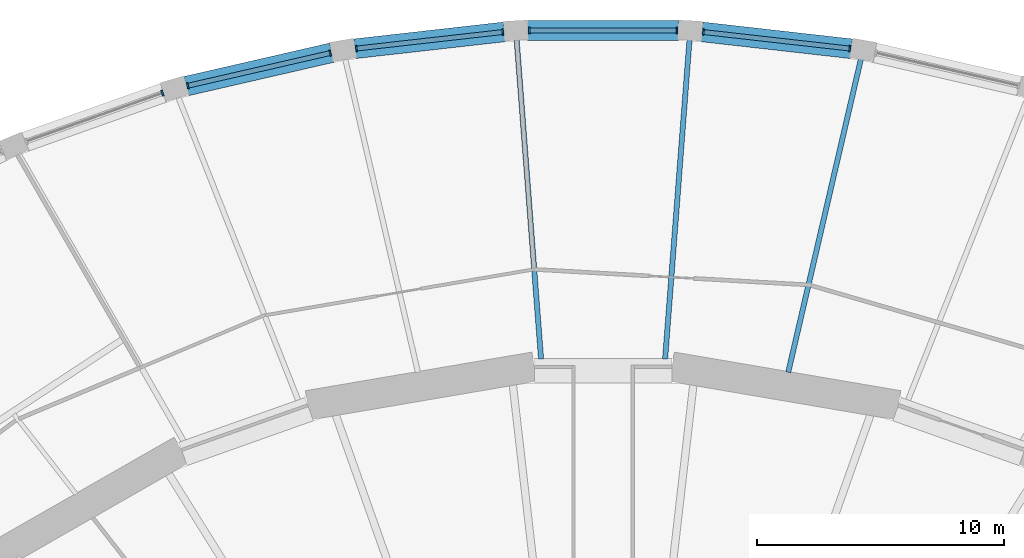
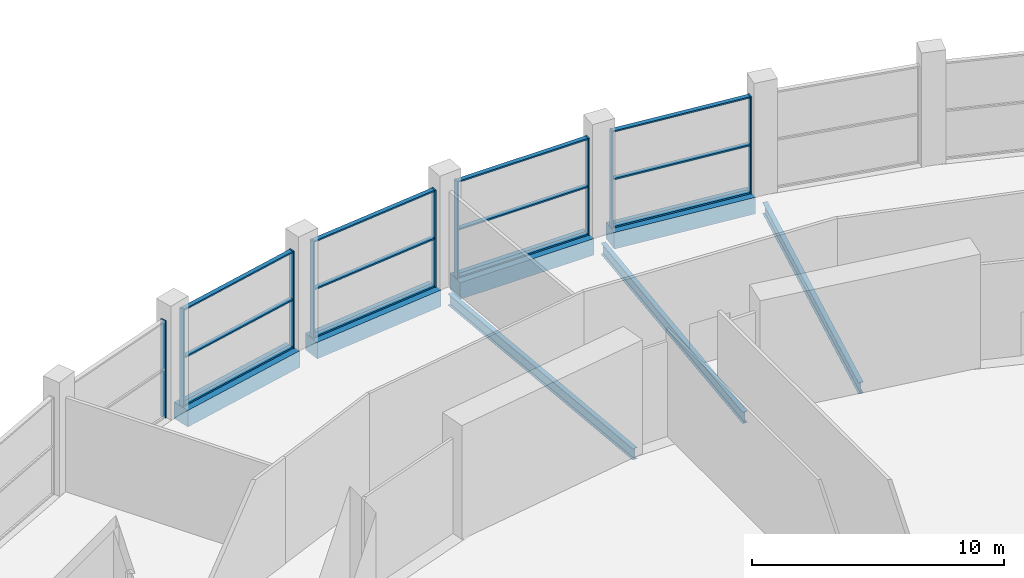
# One storey, part 14 of 29: 21 members, 7 beams, 5 elements without a shape of their own.
"""IFC4 building model written with IfcOpenShell, lengths in metres."""

from ifc_helpers import new_model, si_unit, direction, frame, origin, origin_2d, place, context, subcontext, project, spatial, rectangle, i_section, extrude, material, material_profile, profile_set, type_object, element, aggregate, save


model = new_model("IFC4")

# Units and contexts
model_context = context("Model", 3, precision=1e-05, world=origin(), true_north=direction((0.0, 1.0)))
body_context = subcontext(model_context, "Body", "Model", "MODEL_VIEW")
ifc_project = project(units=[si_unit("LENGTHUNIT", "METRE"), si_unit("AREAUNIT", "SQUARE_METRE"), si_unit("VOLUMEUNIT", "CUBIC_METRE"), si_unit("PLANEANGLEUNIT", "RADIAN"), si_unit("MASSUNIT", "GRAM", prefix="KILO")], contexts=[model_context])

# Site, building, storey
site_placement = place(None, origin())
site = spatial("IfcSite", under=ifc_project, at=site_placement, CompositionType="ELEMENT")
building_placement = place(site_placement, origin())
building = spatial("IfcBuilding", under=site, at=building_placement, Name="Halqa Exchange Tower", CompositionType="ELEMENT")
storey_placement = place(building_placement, frame((0.0, 0.0, 12.5)))
storey = spatial("IfcBuildingStorey", under=building, at=storey_placement, Name="L02", CompositionType="ELEMENT", Elevation=12.5)

# Curtain wall, members
ifc_material_1 = material(Name="Anodised aluminium and clear glass", Category="aluminium")
curtain_wall_type = type_object("IfcCurtainWallType", Name="Exchange hall glazing", PredefinedType="NOTDEFINED", material=ifc_material_1)
curtain_wall_1_placement = place(storey_placement, origin())
curtain_wall_1 = element("IfcCurtainWall", 1, at=curtain_wall_1_placement, inside=storey, type_object=curtain_wall_type, Name="Exchange hall glazing run P11", PredefinedType="NOTDEFINED")
ifc_material_2 = material(Name="Anodised aluminium", Category="aluminium")
ifc_material_profile_1 = material_profile(ifc_material_2, rectangle(XDim=0.25, YDim=0.070068359375, at=origin_2d()), Name="AL 70x250")
ifc_profile_set_1 = profile_set([ifc_material_profile_1], Name="Anodised aluminium")
member_type_1 = type_object("IfcMemberType", Name="Exchange hall glazing mullion 70 x 250", PredefinedType="MULLION", material=ifc_profile_set_1)
member_1_placement = place(storey_placement, frame((10.00341796875, 45.470458984375, 0.0), z_axis=(0.0, 0.0, 1.0), x_axis=(-0.112159098874, -0.993690261872, 0.0)))
member_1 = element("IfcMember", 2, at=member_1_placement, type_object=member_type_1, Name="P11 mullion 1", PredefinedType="MULLION", context=body_context, shape_type="SweptSolid", body=[
    extrude(rectangle(XDim=0.25, YDim=0.070068359375, at=origin_2d()), origin(), (0.0, 0.0, 1.0), 4.699951171875),
])
member_2_placement = place(storey_placement, frame((4.0634765625, 46.140869140625, 0.0), z_axis=(0.0, 0.0, 1.0), x_axis=(-0.112159098874, -0.993690261872, 0.0)))
member_2 = element("IfcMember", 3, at=member_2_placement, type_object=member_type_1, Name="P11 mullion 2", PredefinedType="MULLION", context=body_context, shape_type="SweptSolid", body=[
    extrude(rectangle(XDim=0.25, YDim=0.070068359375, at=origin_2d()), origin(), (0.0, 0.0, 1.0), 4.699951171875),
])

curtain_wall_2_placement = place(storey_placement, origin())
curtain_wall_2 = element("IfcCurtainWall", 4, at=curtain_wall_2_placement, inside=storey, type_object=curtain_wall_type, Name="Exchange hall glazing run P12", PredefinedType="NOTDEFINED")
member_3_placement = place(storey_placement, frame((2.996826171875, 46.200927734375, 0.0), z_axis=(0.0, 0.0, 1.0), x_axis=(0.0, -1.0, 0.0)))
member_3 = element("IfcMember", 5, at=member_3_placement, type_object=member_type_1, Name="P12 mullion 1", PredefinedType="MULLION", context=body_context, shape_type="SweptSolid", body=[
    extrude(rectangle(XDim=0.25, YDim=0.070068359375, at=origin_2d()), origin(), (0.0, 0.0, 1.0), 4.699951171875),
])
member_4_placement = place(storey_placement, frame((-2.996826171875, 46.200927734375, 0.0), z_axis=(0.0, 0.0, 1.0), x_axis=(0.0, -1.0, 0.0)))
member_4 = element("IfcMember", 6, at=member_4_placement, type_object=member_type_1, Name="P12 mullion 2", PredefinedType="MULLION", context=body_context, shape_type="SweptSolid", body=[
    extrude(rectangle(XDim=0.25, YDim=0.070068359375, at=origin_2d()), origin(), (0.0, 0.0, 1.0), 4.699951171875),
])

curtain_wall_3_placement = place(storey_placement, origin())
curtain_wall_3 = element("IfcCurtainWall", 7, at=curtain_wall_3_placement, inside=storey, type_object=curtain_wall_type, Name="Exchange hall glazing run P13", PredefinedType="NOTDEFINED")
member_5_placement = place(storey_placement, frame((-4.0634765625, 46.140869140625, 0.0), z_axis=(0.0, 0.0, 1.0), x_axis=(0.112159098874, -0.993690261872, 0.0)))
member_5 = element("IfcMember", 8, at=member_5_placement, type_object=member_type_1, Name="P13 mullion 1", PredefinedType="MULLION", context=body_context, shape_type="SweptSolid", body=[
    extrude(rectangle(XDim=0.25, YDim=0.070068359375, at=origin_2d()), origin(), (0.0, 0.0, 1.0), 4.699951171875),
])
member_6_placement = place(storey_placement, frame((-10.00341796875, 45.470458984375, 0.0), z_axis=(0.0, 0.0, 1.0), x_axis=(0.112159098874, -0.993690261872, 0.0)))
member_6 = element("IfcMember", 9, at=member_6_placement, type_object=member_type_1, Name="P13 mullion 2", PredefinedType="MULLION", context=body_context, shape_type="SweptSolid", body=[
    extrude(rectangle(XDim=0.25, YDim=0.070068359375, at=origin_2d()), origin(), (0.0, 0.0, 1.0), 4.699951171875),
])

curtain_wall_4_placement = place(storey_placement, origin())
curtain_wall_4 = element("IfcCurtainWall", 10, at=curtain_wall_4_placement, inside=storey, type_object=curtain_wall_type, Name="Exchange hall glazing run P14", PredefinedType="NOTDEFINED")
member_7_placement = place(storey_placement, frame((-11.056396484375, 45.29052734375, 0.0), z_axis=(0.0, 0.0, 1.0), x_axis=(0.223896655269, -0.974612891234, 0.0)))
member_7 = element("IfcMember", 11, at=member_7_placement, type_object=member_type_1, Name="P14 mullion 1", PredefinedType="MULLION", context=body_context, shape_type="SweptSolid", body=[
    extrude(rectangle(XDim=0.25, YDim=0.070068359375, at=origin_2d()), origin(), (0.0, 0.0, 1.0), 4.699951171875),
])
member_8_placement = place(storey_placement, frame((-16.836181640625, 43.962646484375, 0.0), z_axis=(0.0, 0.0, 1.0), x_axis=(0.223896655269, -0.974612891234, 0.0)))
member_8 = element("IfcMember", 12, at=member_8_placement, type_object=member_type_1, Name="P14 mullion 2", PredefinedType="MULLION", context=body_context, shape_type="SweptSolid", body=[
    extrude(rectangle(XDim=0.25, YDim=0.070068359375, at=origin_2d()), origin(), (0.0, 0.0, 1.0), 4.699951171875),
])

# Curtain wall, member
curtain_wall_5_placement = place(storey_placement, origin())
curtain_wall_5 = element("IfcCurtainWall", 13, at=curtain_wall_5_placement, inside=storey, type_object=curtain_wall_type, Name="Exchange hall glazing run P15", PredefinedType="NOTDEFINED")
member_9_placement = place(storey_placement, frame((-17.86181640625, 43.663818359375, 0.0), z_axis=(0.0, 0.0, 1.0), x_axis=(0.334688348326, -0.942328875444, 0.0)))
member_9 = element("IfcMember", 14, at=member_9_placement, type_object=member_type_1, Name="P15 mullion 1", PredefinedType="MULLION", context=body_context, shape_type="SweptSolid", body=[
    extrude(rectangle(XDim=0.25, YDim=0.070068359375, at=origin_2d()), origin(), (0.0, 0.0, 1.0), 4.699951171875),
])
aggregate(curtain_wall_5, [member_9])

# Member
ifc_material_profile_2 = material_profile(ifc_material_2, rectangle(XDim=0.199951171875, YDim=0.070068359375, at=origin_2d()), Name="AL 70x200")
ifc_profile_set_2 = profile_set([ifc_material_profile_2], Name="Anodised aluminium")
member_type_2 = type_object("IfcMemberType", Name="Exchange hall glazing transom 70 x 200", PredefinedType="USERDEFINED", material=ifc_profile_set_2)
member_10_placement = place(storey_placement, frame((9.968505859375, 45.474365234375, 0.034912109375), z_axis=(-0.993690216271, 0.112159502889, 0.0), x_axis=(-0.112159502889, -0.993690216271, 0.0)))
member_10 = element("IfcMember", 15, at=member_10_placement, type_object=member_type_2, Name="P11 transom 1.1", ObjectType="TRANSOM", PredefinedType="USERDEFINED", context=body_context, shape_type="SweptSolid", body=[
    extrude(rectangle(XDim=0.199951171875, YDim=0.070068359375, at=origin_2d()), origin(), (0.0, 0.0, 1.0), 5.90771484375),
])

member_11_placement = place(storey_placement, frame((9.968505859375, 45.474365234375, 2.35009765625), z_axis=(-0.993690216271, 0.112159502889, 0.0), x_axis=(-0.112159502889, -0.993690216271, 0.0)))
member_11 = element("IfcMember", 16, at=member_11_placement, type_object=member_type_2, Name="P11 transom 1.2", ObjectType="TRANSOM", PredefinedType="USERDEFINED", context=body_context, shape_type="SweptSolid", body=[
    extrude(rectangle(XDim=0.199951171875, YDim=0.070068359375, at=origin_2d()), origin(), (0.0, 0.0, 1.0), 5.90771484375),
])

member_12_placement = place(storey_placement, frame((9.968505859375, 45.474365234375, 4.6650390625), z_axis=(-0.993690216271, 0.112159502889, 0.0), x_axis=(-0.112159502889, -0.993690216271, 0.0)))
member_12 = element("IfcMember", 17, at=member_12_placement, type_object=member_type_2, Name="P11 transom 1.3", ObjectType="TRANSOM", PredefinedType="USERDEFINED", context=body_context, shape_type="SweptSolid", body=[
    extrude(rectangle(XDim=0.199951171875, YDim=0.070068359375, at=origin_2d()), origin(), (0.0, 0.0, 1.0), 5.90771484375),
])

aggregate(curtain_wall_1, [member_1, member_2, member_10, member_11, member_12])

member_13_placement = place(storey_placement, frame((2.9619140625, 46.200927734375, 0.034912109375), z_axis=(-1.0, 0.0, 0.0), x_axis=(0.0, -1.0, 0.0)))
member_13 = element("IfcMember", 18, at=member_13_placement, type_object=member_type_2, Name="P12 transom 1.1", ObjectType="TRANSOM", PredefinedType="USERDEFINED", context=body_context, shape_type="SweptSolid", body=[
    extrude(rectangle(XDim=0.199951171875, YDim=0.070068359375, at=origin_2d()), origin(), (0.0, 0.0, 1.0), 5.923828125),
])

member_14_placement = place(storey_placement, frame((2.9619140625, 46.200927734375, 2.35009765625), z_axis=(-1.0, 0.0, 0.0), x_axis=(0.0, -1.0, 0.0)))
member_14 = element("IfcMember", 19, at=member_14_placement, type_object=member_type_2, Name="P12 transom 1.2", ObjectType="TRANSOM", PredefinedType="USERDEFINED", context=body_context, shape_type="SweptSolid", body=[
    extrude(rectangle(XDim=0.199951171875, YDim=0.070068359375, at=origin_2d()), origin(), (0.0, 0.0, 1.0), 5.923828125),
])

member_15_placement = place(storey_placement, frame((2.9619140625, 46.200927734375, 4.6650390625), z_axis=(-1.0, 0.0, 0.0), x_axis=(0.0, -1.0, 0.0)))
member_15 = element("IfcMember", 20, at=member_15_placement, type_object=member_type_2, Name="P12 transom 1.3", ObjectType="TRANSOM", PredefinedType="USERDEFINED", context=body_context, shape_type="SweptSolid", body=[
    extrude(rectangle(XDim=0.199951171875, YDim=0.070068359375, at=origin_2d()), origin(), (0.0, 0.0, 1.0), 5.923828125),
])

aggregate(curtain_wall_2, [member_3, member_4, member_13, member_14, member_15])

member_16_placement = place(storey_placement, frame((-4.09814453125, 46.136962890625, 0.034912109375), z_axis=(-0.993690216271, -0.112159502889, 0.0), x_axis=(0.112159502889, -0.993690216271, 0.0)))
member_16 = element("IfcMember", 21, at=member_16_placement, type_object=member_type_2, Name="P13 transom 1.1", ObjectType="TRANSOM", PredefinedType="USERDEFINED", context=body_context, shape_type="SweptSolid", body=[
    extrude(rectangle(XDim=0.199951171875, YDim=0.070068359375, at=origin_2d()), origin(), (0.0, 0.0, 1.0), 5.90771484375),
])

member_17_placement = place(storey_placement, frame((-4.09814453125, 46.136962890625, 2.35009765625), z_axis=(-0.993690216271, -0.112159502889, 0.0), x_axis=(0.112159502889, -0.993690216271, 0.0)))
member_17 = element("IfcMember", 22, at=member_17_placement, type_object=member_type_2, Name="P13 transom 1.2", ObjectType="TRANSOM", PredefinedType="USERDEFINED", context=body_context, shape_type="SweptSolid", body=[
    extrude(rectangle(XDim=0.199951171875, YDim=0.070068359375, at=origin_2d()), origin(), (0.0, 0.0, 1.0), 5.90771484375),
])

member_18_placement = place(storey_placement, frame((-4.09814453125, 46.136962890625, 4.6650390625), z_axis=(-0.993690216271, -0.112159502889, 0.0), x_axis=(0.112159502889, -0.993690216271, 0.0)))
member_18 = element("IfcMember", 23, at=member_18_placement, type_object=member_type_2, Name="P13 transom 1.3", ObjectType="TRANSOM", PredefinedType="USERDEFINED", context=body_context, shape_type="SweptSolid", body=[
    extrude(rectangle(XDim=0.199951171875, YDim=0.070068359375, at=origin_2d()), origin(), (0.0, 0.0, 1.0), 5.90771484375),
])

aggregate(curtain_wall_3, [member_5, member_6, member_16, member_17, member_18])

member_19_placement = place(storey_placement, frame((-11.09033203125, 45.28271484375, 0.034912109375), z_axis=(-0.974610483498, -0.223907135784, 0.0), x_axis=(0.223907135784, -0.974610483498, 0.0)))
member_19 = element("IfcMember", 24, at=member_19_placement, type_object=member_type_2, Name="P14 transom 1.1", ObjectType="TRANSOM", PredefinedType="USERDEFINED", context=body_context, shape_type="SweptSolid", body=[
    extrude(rectangle(XDim=0.199951171875, YDim=0.070068359375, at=origin_2d()), origin(), (0.0, 0.0, 1.0), 5.860595703125),
])

member_20_placement = place(storey_placement, frame((-11.09033203125, 45.28271484375, 2.35009765625), z_axis=(-0.974610483498, -0.223907135784, 0.0), x_axis=(0.223907135784, -0.974610483498, 0.0)))
member_20 = element("IfcMember", 25, at=member_20_placement, type_object=member_type_2, Name="P14 transom 1.2", ObjectType="TRANSOM", PredefinedType="USERDEFINED", context=body_context, shape_type="SweptSolid", body=[
    extrude(rectangle(XDim=0.199951171875, YDim=0.070068359375, at=origin_2d()), origin(), (0.0, 0.0, 1.0), 5.860595703125),
])

member_21_placement = place(storey_placement, frame((-11.09033203125, 45.28271484375, 4.6650390625), z_axis=(-0.974610483498, -0.223907135784, 0.0), x_axis=(0.223907135784, -0.974610483498, 0.0)))
member_21 = element("IfcMember", 26, at=member_21_placement, type_object=member_type_2, Name="P14 transom 1.3", ObjectType="TRANSOM", PredefinedType="USERDEFINED", context=body_context, shape_type="SweptSolid", body=[
    extrude(rectangle(XDim=0.199951171875, YDim=0.070068359375, at=origin_2d()), origin(), (0.0, 0.0, 1.0), 5.860595703125),
])

aggregate(curtain_wall_4, [member_7, member_8, member_19, member_20, member_21])

# Beams
ifc_material_3 = material(Name="Steel S355", Category="steel")
ifc_material_profile_3 = material_profile(ifc_material_3, i_section(OverallWidth=0.2099609375, OverallDepth=0.550048828125, WebThickness=0.010986328125, FlangeThickness=0.01708984375, FilletRadius=0.02392578125, at=origin_2d()), Name="IPE 550")
ifc_profile_set_3 = profile_set([ifc_material_profile_3], Name="Steel S355")
beam_type_1 = type_object("IfcBeamType", Name="Floor beam IPE 550", PredefinedType="BEAM", material=ifc_profile_set_3)
beam_1_placement = place(storey_placement, frame((7.5048828125, 32.35009765625, -0.625), z_axis=(0.2259960959, 0.974128207495, 0.0), x_axis=(-0.974128207495, 0.2259960959, 0.0)))
element("IfcBeam", 27, at=beam_1_placement, inside=storey, type_object=beam_type_1, Name="Radial beam 11", PredefinedType="BEAM", context=body_context, shape_type="SweptSolid", body=[
    extrude(i_section(OverallWidth=0.2099609375, OverallDepth=0.550048828125, WebThickness=0.010986328125, FlangeThickness=0.01708984375, FilletRadius=0.02392578125, at=origin_2d()), origin(), (0.0, 0.0, 1.0), 13.03466796875),
])
for number, where, z_axis, x_axis, name in (
    (28, (2.513916015625, 32.88623046875, -0.625), (0.076223337155, 0.997090769626, 0.0), (-0.997090769626, 0.076223337155, 0.0), "Radial beam 12"),
    (29, (-2.513916015625, 32.88623046875, -0.625), (-0.076223337155, 0.997090769626, 0.0), (-0.997090769626, -0.076223337155, 0.0), "Radial beam 13"),
):
    element("IfcBeam", number, at=place(storey_placement, frame(where, z_axis=z_axis, x_axis=x_axis)), inside=storey, type_object=beam_type_1, Name=name, PredefinedType="BEAM", context=body_context, shape_type="SweptSolid", body=[
        extrude(i_section(OverallWidth=0.2099609375, OverallDepth=0.550048828125, WebThickness=0.010986328125, FlangeThickness=0.01708984375, FilletRadius=0.02392578125, at=origin_2d()), origin(), (0.0, 0.0, 1.0), 12.981689453125),
    ])
ifc_material_4 = material(Name="Concrete C60/75", Category="concrete")
ifc_material_profile_4 = material_profile(ifc_material_4, rectangle(XDim=0.800048828125, YDim=0.800048828125, at=origin_2d()), Name="800 x 800")
ifc_profile_set_4 = profile_set([ifc_material_profile_4], Name="Concrete C60/75")
beam_type_2 = type_object("IfcBeamType", Name="RC podium edge beam 800 x 800 C60/75", PredefinedType="SPANDREL", material=ifc_profile_set_4)
beam_2_placement = place(storey_placement, frame((10.064453125, 45.46337890625, -0.39990234375), z_axis=(-0.993688954696, 0.112170679393, 0.0), x_axis=(-0.112170679393, -0.993688954696, 0.0)))
element("IfcBeam", 30, at=beam_2_placement, inside=storey, type_object=beam_type_2, Name="Podium edge beam 11", PredefinedType="SPANDREL", context=body_context, shape_type="SweptSolid", body=[
    extrude(rectangle(XDim=0.800048828125, YDim=0.800048828125, at=origin_2d()), origin(), (0.0, 0.0, 1.0), 6.100830078125),
])
beam_3_placement = place(storey_placement, frame((3.05859375, 46.200927734375, -0.39990234375), z_axis=(-1.0, 0.0, 0.0), x_axis=(0.0, -1.0, 0.0)))
element("IfcBeam", 31, at=beam_3_placement, inside=storey, type_object=beam_type_2, Name="Podium edge beam 12", PredefinedType="SPANDREL", context=body_context, shape_type="SweptSolid", body=[
    extrude(rectangle(XDim=0.800048828125, YDim=0.800048828125, at=origin_2d()), origin(), (0.0, 0.0, 1.0), 6.1171875),
])
beam_4_placement = place(storey_placement, frame((-4.002197265625, 46.147705078125, -0.39990234375), z_axis=(-0.993688954696, -0.112170679393, 0.0), x_axis=(0.112170679393, -0.993688954696, 0.0)))
element("IfcBeam", 32, at=beam_4_placement, inside=storey, type_object=beam_type_2, Name="Podium edge beam 13", PredefinedType="SPANDREL", context=body_context, shape_type="SweptSolid", body=[
    extrude(rectangle(XDim=0.800048828125, YDim=0.800048828125, at=origin_2d()), origin(), (0.0, 0.0, 1.0), 6.100830078125),
])
beam_5_placement = place(storey_placement, frame((-10.99658203125, 45.304443359375, -0.39990234375), z_axis=(-0.974604133477, -0.223934774008, 0.0), x_axis=(0.223934774008, -0.974604133477, 0.0)))
element("IfcBeam", 33, at=beam_5_placement, inside=storey, type_object=beam_type_2, Name="Podium edge beam 14", PredefinedType="SPANDREL", context=body_context, shape_type="SweptSolid", body=[
    extrude(rectangle(XDim=0.800048828125, YDim=0.800048828125, at=origin_2d()), origin(), (0.0, 0.0, 1.0), 6.05517578125),
])

save(model, "model.ifc")
